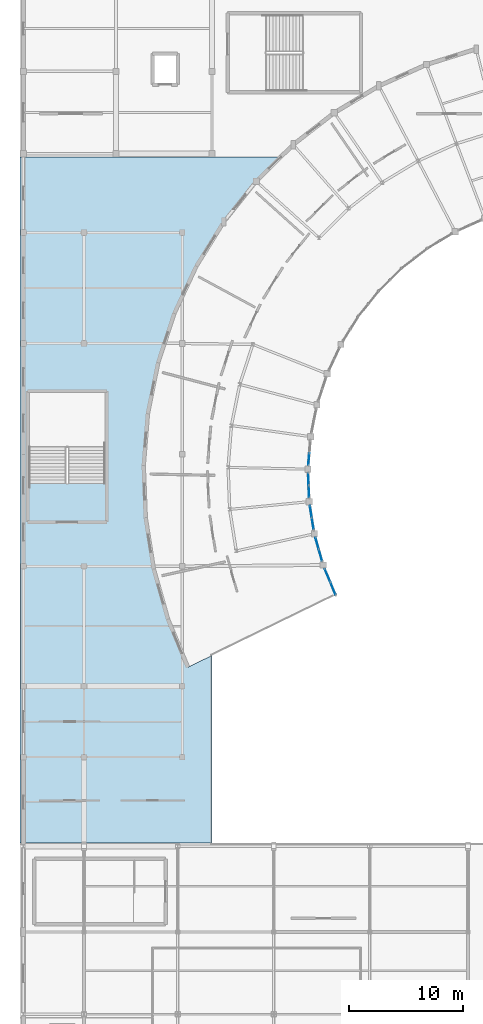
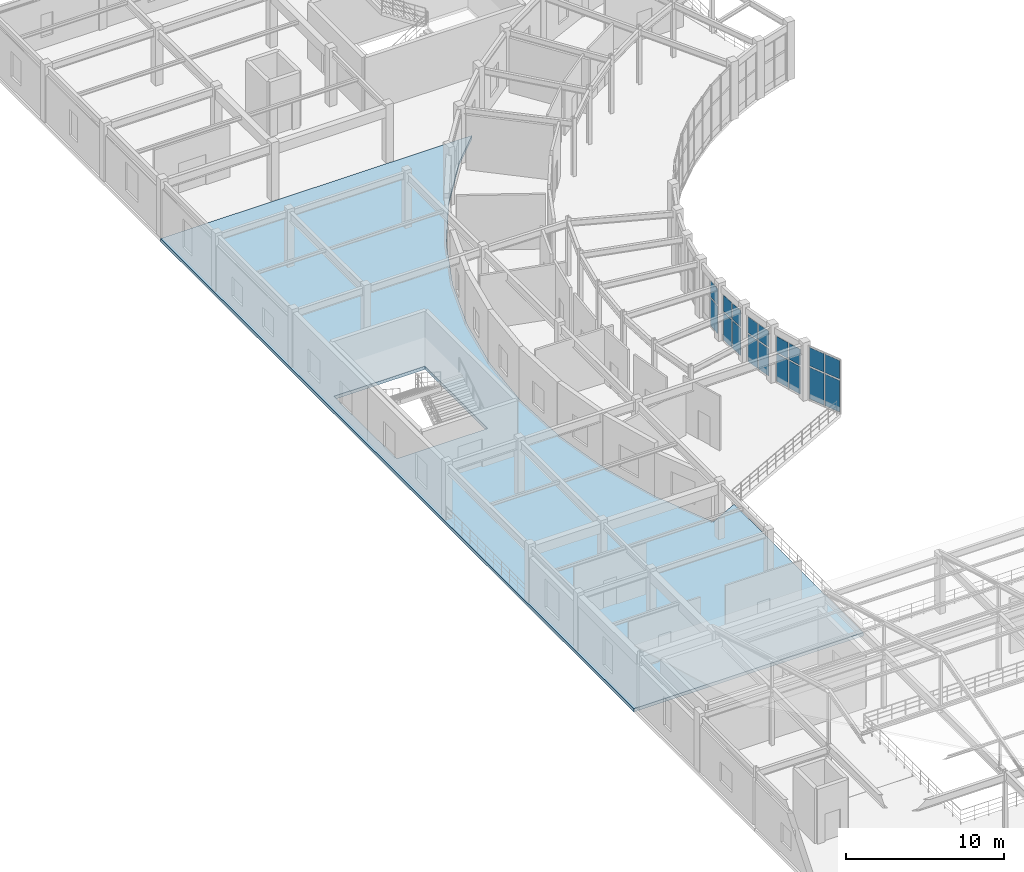
# One storey, part 72 of 112: 18 plates, 1 slab, 5 elements without a shape of their own.
"""IFC4 building model written with IfcOpenShell, lengths in metres."""

from ifc_helpers import new_model, si_unit, direction, frame, origin, origin_2d, place, context, subcontext, project, spatial, polyline, rectangle, outline, extrude, material, layer, layer_set, type_object, element, aggregate, save


model = new_model("IFC4")

# Units and contexts
model_context = context("Model", 3, precision=1e-05, world=origin(), true_north=direction((0.0, 1.0)))
body_context = subcontext(model_context, "Body", "Model", "MODEL_VIEW")
ifc_project = project(units=[si_unit("LENGTHUNIT", "METRE"), si_unit("AREAUNIT", "SQUARE_METRE"), si_unit("VOLUMEUNIT", "CUBIC_METRE"), si_unit("PLANEANGLEUNIT", "RADIAN"), si_unit("MASSUNIT", "GRAM", prefix="KILO")], contexts=[model_context])

# Site, building, storey
site_placement = place(None, origin())
site = spatial("IfcSite", under=ifc_project, at=site_placement, CompositionType="ELEMENT")
building_placement = place(site_placement, origin())
building = spatial("IfcBuilding", under=site, at=building_placement, Name="Cinderbank Siding Concert Hall", CompositionType="ELEMENT")
storey_placement = place(building_placement, frame((0.0, 0.0, 10.199951171875)))
storey = spatial("IfcBuildingStorey", under=building, at=storey_placement, Name="L03", CompositionType="ELEMENT", Elevation=10.199951171875)

# Curtain wall, plates
ifc_material_1 = material(Name="Anodised aluminium alloy 6063-T6", Category="aluminium")
curtain_wall_type_1 = type_object("IfcCurtainWallType", Name="CW-14 Unitised Acoustic Curtain Wall 4200x3800", PredefinedType="NOTDEFINED", material=ifc_material_1)
curtain_wall_1_placement = place(storey_placement, origin())
curtain_wall_1 = element("IfcCurtainWall", 1, at=curtain_wall_1_placement, inside=storey, type_object=curtain_wall_type_1, Name="L03 Curtain Wall CW-14 #136", PredefinedType="NOTDEFINED")
ifc_material_2 = material(Name="Double-glazed laminated acoustic glass", Category="glass")
ifc_layer_1 = layer(ifc_material_2, 0.035888671875)
ifc_layer_set_1 = layer_set([ifc_layer_1], Name="Double-glazed laminated acoustic glass")
plate_type_1 = type_object("IfcPlateType", Name="CP-01 Glazed Curtain Panel 1800x2200", PredefinedType="CURTAIN_PANEL", material=ifc_layer_set_1)
plate_1_placement = place(storey_placement, frame((32.800048828125, 61.998046875, 0.1201171875), z_axis=(0.0, 0.0, 1.0), x_axis=(0.272275215509, -0.962219417295, 0.0)))
plate_1 = element("IfcPlate", 2, at=plate_1_placement, type_object=plate_type_1, Name="CW-L03-136 Glazed Panel 0-0", PredefinedType="CURTAIN_PANEL", context=body_context, shape_type="SweptSolid", body=[
    extrude(rectangle(XDim=0.9833984375, YDim=0.035888671875, at=origin_2d()), origin(), (0.0, 0.0, 1.0), 2.118408203125),
])
plate_2_placement = place(storey_placement, frame((32.800048828125, 61.998046875, 2.3583984375), z_axis=(0.0, 0.0, 1.0), x_axis=(0.272275215509, -0.962219417295, 0.0)))
plate_2 = element("IfcPlate", 3, at=plate_2_placement, type_object=plate_type_1, Name="CW-L03-136 Glazed Panel 0-1", PredefinedType="CURTAIN_PANEL", context=body_context, shape_type="SweptSolid", body=[
    extrude(rectangle(XDim=0.9833984375, YDim=0.035888671875, at=origin_2d()), origin(), (0.0, 0.0, 1.0), 1.228759765625),
])
plate_3_placement = place(storey_placement, frame((33.094970703125, 60.95556640625, 0.1201171875), z_axis=(0.0, 0.0, 1.0), x_axis=(0.272275215509, -0.962219417295, 0.0)))
plate_3 = element("IfcPlate", 4, at=plate_3_placement, type_object=plate_type_1, Name="CW-L03-136 Glazed Panel 1-0", PredefinedType="CURTAIN_PANEL", context=body_context, shape_type="SweptSolid", body=[
    extrude(rectangle(XDim=0.9833984375, YDim=0.035888671875, at=origin_2d()), origin(), (0.0, 0.0, 1.0), 2.118408203125),
])
plate_4_placement = place(storey_placement, frame((33.094970703125, 60.95556640625, 2.3583984375), z_axis=(0.0, 0.0, 1.0), x_axis=(0.272275215509, -0.962219417295, 0.0)))
plate_4 = element("IfcPlate", 5, at=plate_4_placement, type_object=plate_type_1, Name="CW-L03-136 Glazed Panel 1-1", PredefinedType="CURTAIN_PANEL", context=body_context, shape_type="SweptSolid", body=[
    extrude(rectangle(XDim=0.9833984375, YDim=0.035888671875, at=origin_2d()), origin(), (0.0, 0.0, 1.0), 1.228759765625),
])
aggregate(curtain_wall_1, [plate_1, plate_2, plate_3, plate_4])

curtain_wall_type_2 = type_object("IfcCurtainWallType", Name="CW-13 Unitised Acoustic Curtain Wall 4200x4400", PredefinedType="NOTDEFINED", material=ifc_material_1)
curtain_wall_2_placement = place(storey_placement, origin())
curtain_wall_2 = element("IfcCurtainWall", 6, at=curtain_wall_2_placement, inside=storey, type_object=curtain_wall_type_2, Name="L03 Curtain Wall CW-13 #137", PredefinedType="NOTDEFINED")
ifc_layer_2 = layer(ifc_material_2, 0.035888671875)
ifc_layer_set_2 = layer_set([ifc_layer_2], Name="Double-glazed laminated acoustic glass")
plate_type_2 = type_object("IfcPlateType", Name="CP-02 Glazed Curtain Panel 1800x1900", PredefinedType="CURTAIN_PANEL", material=ifc_layer_set_2)
plate_5_placement = place(storey_placement, frame((33.70654296875, 59.21484375, 0.1201171875), z_axis=(0.0, 0.0, 1.0), x_axis=(0.384273632219, -0.923219245673, 0.0)))
plate_5 = element("IfcPlate", 7, at=plate_5_placement, type_object=plate_type_2, Name="CW-L03-137 Glazed Panel 0-0", PredefinedType="CURTAIN_PANEL", context=body_context, shape_type="SweptSolid", body=[
    extrude(rectangle(XDim=1.1533203125, YDim=0.035888671875, at=origin_2d()), origin(), (0.0, 0.0, 1.0), 2.439453125),
])
plate_6_placement = place(storey_placement, frame((33.70654296875, 59.21484375, 2.6796875), z_axis=(0.0, 0.0, 1.0), x_axis=(0.384273632219, -0.923219245673, 0.0)))
plate_6 = element("IfcPlate", 8, at=plate_6_placement, type_object=plate_type_2, Name="CW-L03-137 Glazed Panel 0-1", PredefinedType="CURTAIN_PANEL", context=body_context, shape_type="SweptSolid", body=[
    extrude(rectangle(XDim=1.1533203125, YDim=0.035888671875, at=origin_2d()), origin(), (0.0, 0.0, 1.0), 1.425537109375),
])
plate_7_placement = place(storey_placement, frame((34.18798828125, 58.0576171875, 0.1201171875), z_axis=(0.0, 0.0, 1.0), x_axis=(0.384273632219, -0.923219245673, 0.0)))
plate_7 = element("IfcPlate", 9, at=plate_7_placement, type_object=plate_type_2, Name="CW-L03-137 Glazed Panel 1-0", PredefinedType="CURTAIN_PANEL", context=body_context, shape_type="SweptSolid", body=[
    extrude(rectangle(XDim=1.1533203125, YDim=0.035888671875, at=origin_2d()), origin(), (0.0, 0.0, 1.0), 2.439453125),
])
plate_8_placement = place(storey_placement, frame((34.18798828125, 58.0576171875, 2.6796875), z_axis=(0.0, 0.0, 1.0), x_axis=(0.384273632219, -0.923219245673, 0.0)))
plate_8 = element("IfcPlate", 10, at=plate_8_placement, type_object=plate_type_2, Name="CW-L03-137 Glazed Panel 1-1", PredefinedType="CURTAIN_PANEL", context=body_context, shape_type="SweptSolid", body=[
    extrude(rectangle(XDim=1.1533203125, YDim=0.035888671875, at=origin_2d()), origin(), (0.0, 0.0, 1.0), 1.425537109375),
])
aggregate(curtain_wall_2, [plate_5, plate_6, plate_7, plate_8])

curtain_wall_3_placement = place(storey_placement, origin())
curtain_wall_3 = element("IfcCurtainWall", 11, at=curtain_wall_3_placement, inside=storey, type_object=curtain_wall_type_2, Name="L03 Curtain Wall CW-13 #133", PredefinedType="NOTDEFINED")
ifc_layer_3 = layer(ifc_material_2, 0.0380859375)
ifc_layer_set_3 = layer_set([ifc_layer_3], Name="Double-glazed laminated acoustic glass")
plate_type_3 = type_object("IfcPlateType", Name="CP-06 Glazed Curtain Panel 2100x1600", PredefinedType="CURTAIN_PANEL", material=ifc_layer_set_3)
plate_9_placement = place(storey_placement, frame((32.075927734375, 69.381591796875, 0.1201171875), z_axis=(0.0, 0.0, 1.0), x_axis=(-0.0801961758, -0.996779099594, 0.0)))
plate_9 = element("IfcPlate", 12, at=plate_9_placement, type_object=plate_type_3, Name="CW-L03-133 Glazed Panel 1-0", PredefinedType="CURTAIN_PANEL", context=body_context, shape_type="SweptSolid", body=[
    extrude(rectangle(XDim=0.9833984375, YDim=0.035888671875, at=origin_2d()), origin(), (0.0, 0.0, 1.0), 2.118408203125),
])
plate_10_placement = place(storey_placement, frame((32.075927734375, 69.381591796875, 2.3583984375), z_axis=(0.0, 0.0, 1.0), x_axis=(-0.0801961758, -0.996779099594, 0.0)))
plate_10 = element("IfcPlate", 13, at=plate_10_placement, type_object=plate_type_3, Name="CW-L03-133 Glazed Panel 1-1", PredefinedType="CURTAIN_PANEL", context=body_context, shape_type="SweptSolid", body=[
    extrude(rectangle(XDim=0.9833984375, YDim=0.035888671875, at=origin_2d()), origin(), (0.0, 0.0, 1.0), 1.228759765625),
])
aggregate(curtain_wall_3, [plate_9, plate_10])

curtain_wall_4_placement = place(storey_placement, origin())
curtain_wall_4 = element("IfcCurtainWall", 14, at=curtain_wall_4_placement, inside=storey, type_object=curtain_wall_type_1, Name="L03 Curtain Wall CW-14 #134", PredefinedType="NOTDEFINED")
ifc_layer_4 = layer(ifc_material_2, 0.033935546875)
ifc_layer_set_4 = layer_set([ifc_layer_4], Name="Double-glazed laminated acoustic glass")
plate_type_4 = type_object("IfcPlateType", Name="CP-07 Glazed Curtain Panel 1500x1750", PredefinedType="CURTAIN_PANEL", material=ifc_layer_set_4)
plate_11_placement = place(storey_placement, frame((32.0390625, 67.62158203125, 0.1201171875), z_axis=(0.0, 0.0, 1.0), x_axis=(0.038360270672, -0.99926397395, 0.0)))
plate_11 = element("IfcPlate", 15, at=plate_11_placement, type_object=plate_type_4, Name="CW-L03-134 Glazed Panel 0-0", PredefinedType="CURTAIN_PANEL", context=body_context, shape_type="SweptSolid", body=[
    extrude(rectangle(XDim=0.9833984375, YDim=0.035888671875, at=origin_2d()), origin(), (0.0, 0.0, 1.0), 2.118408203125),
])
plate_12_placement = place(storey_placement, frame((32.0390625, 67.62158203125, 2.3583984375), z_axis=(0.0, 0.0, 1.0), x_axis=(0.038360270672, -0.99926397395, 0.0)))
plate_12 = element("IfcPlate", 16, at=plate_12_placement, type_object=plate_type_4, Name="CW-L03-134 Glazed Panel 0-1", PredefinedType="CURTAIN_PANEL", context=body_context, shape_type="SweptSolid", body=[
    extrude(rectangle(XDim=0.9833984375, YDim=0.035888671875, at=origin_2d()), origin(), (0.0, 0.0, 1.0), 1.228759765625),
])
plate_13_placement = place(storey_placement, frame((32.080810546875, 66.5390625, 0.1201171875), z_axis=(0.0, 0.0, 1.0), x_axis=(0.038360270672, -0.99926397395, 0.0)))
plate_13 = element("IfcPlate", 17, at=plate_13_placement, type_object=plate_type_4, Name="CW-L03-134 Glazed Panel 1-0", PredefinedType="CURTAIN_PANEL", context=body_context, shape_type="SweptSolid", body=[
    extrude(rectangle(XDim=0.9833984375, YDim=0.035888671875, at=origin_2d()), origin(), (0.0, 0.0, 1.0), 2.118408203125),
])
plate_14_placement = place(storey_placement, frame((32.080810546875, 66.5390625, 2.3583984375), z_axis=(0.0, 0.0, 1.0), x_axis=(0.038360270672, -0.99926397395, 0.0)))
plate_14 = element("IfcPlate", 18, at=plate_14_placement, type_object=plate_type_4, Name="CW-L03-134 Glazed Panel 1-1", PredefinedType="CURTAIN_PANEL", context=body_context, shape_type="SweptSolid", body=[
    extrude(rectangle(XDim=0.9833984375, YDim=0.035888671875, at=origin_2d()), origin(), (0.0, 0.0, 1.0), 1.228759765625),
])
aggregate(curtain_wall_4, [plate_11, plate_12, plate_13, plate_14])

curtain_wall_5_placement = place(storey_placement, origin())
curtain_wall_5 = element("IfcCurtainWall", 19, at=curtain_wall_5_placement, inside=storey, type_object=curtain_wall_type_2, Name="L03 Curtain Wall CW-13 #135", PredefinedType="NOTDEFINED")
ifc_layer_5 = layer(ifc_material_2, 0.033935546875)
ifc_layer_set_5 = layer_set([ifc_layer_5], Name="Double-glazed laminated acoustic glass")
plate_type_5 = type_object("IfcPlateType", Name="CP-08 Glazed Curtain Panel 1700x1550", PredefinedType="CURTAIN_PANEL", material=ifc_layer_set_5)
plate_15_placement = place(storey_placement, frame((32.25244140625, 64.787109375, 0.1201171875), z_axis=(0.0, 0.0, 1.0), x_axis=(0.156464041899, -0.987683655627, 0.0)))
plate_15 = element("IfcPlate", 20, at=plate_15_placement, type_object=plate_type_5, Name="CW-L03-135 Glazed Panel 0-0", PredefinedType="CURTAIN_PANEL", context=body_context, shape_type="SweptSolid", body=[
    extrude(rectangle(XDim=0.9833984375, YDim=0.035888671875, at=origin_2d()), origin(), (0.0, 0.0, 1.0), 2.118408203125),
])
plate_16_placement = place(storey_placement, frame((32.25244140625, 64.787109375, 2.3583984375), z_axis=(0.0, 0.0, 1.0), x_axis=(0.156464041899, -0.987683655627, 0.0)))
plate_16 = element("IfcPlate", 21, at=plate_16_placement, type_object=plate_type_5, Name="CW-L03-135 Glazed Panel 0-1", PredefinedType="CURTAIN_PANEL", context=body_context, shape_type="SweptSolid", body=[
    extrude(rectangle(XDim=0.9833984375, YDim=0.035888671875, at=origin_2d()), origin(), (0.0, 0.0, 1.0), 1.228759765625),
])
plate_17_placement = place(storey_placement, frame((32.422119140625, 63.71728515625, 0.1201171875), z_axis=(0.0, 0.0, 1.0), x_axis=(0.156464041899, -0.987683655627, 0.0)))
plate_17 = element("IfcPlate", 22, at=plate_17_placement, type_object=plate_type_5, Name="CW-L03-135 Glazed Panel 1-0", PredefinedType="CURTAIN_PANEL", context=body_context, shape_type="SweptSolid", body=[
    extrude(rectangle(XDim=0.9833984375, YDim=0.035888671875, at=origin_2d()), origin(), (0.0, 0.0, 1.0), 2.118408203125),
])
plate_18_placement = place(storey_placement, frame((32.422119140625, 63.71728515625, 2.3583984375), z_axis=(0.0, 0.0, 1.0), x_axis=(0.156464041899, -0.987683655627, 0.0)))
plate_18 = element("IfcPlate", 23, at=plate_18_placement, type_object=plate_type_5, Name="CW-L03-135 Glazed Panel 1-1", PredefinedType="CURTAIN_PANEL", context=body_context, shape_type="SweptSolid", body=[
    extrude(rectangle(XDim=0.9833984375, YDim=0.035888671875, at=origin_2d()), origin(), (0.0, 0.0, 1.0), 1.228759765625),
])
aggregate(curtain_wall_5, [plate_15, plate_16, plate_17, plate_18])

# Slab
ifc_material_3 = material(Name="Reinforced concrete AS 3600 N50 (50 MPa)", Category="concrete")
ifc_layer_6 = layer(ifc_material_3, 0.25)
ifc_layer_set_6 = layer_set([ifc_layer_6], Name="Reinforced concrete AS 3600 N50 (50 MPa)")
slab_type = type_object("IfcSlabType", Name="SL-04 Slab 250mm", PredefinedType="FLOOR", material=ifc_layer_set_6)
slab_placement = place(storey_placement, frame((0.0, 0.0, -0.25)))
element("IfcSlab", 24, at=slab_placement, inside=storey, type_object=slab_type, Name="L03 WL Slab", PredefinedType="FLOOR", context=body_context, shape_type="SweptSolid", body=[
    extrude(outline(polyline([(6.800048828125, 95.800048828125), (29.59814453125, 95.800048828125), (27.463134765625, 93.694580078125), (24.62158203125, 90.135009765625), (22.221435546875, 86.263916015625), (20.296630859375, 82.135986328125), (18.8740234375, 77.80908203125), (17.9736328125, 73.34423828125), (17.6083984375, 68.80419921875), (17.783203125, 64.252685546875), (18.495849609375, 59.754150390625), (19.73583984375, 55.37158203125), (21.486328125, 51.16650390625), (23.60009765625, 52.197509765625), (23.60009765625, 35.800048828125), (6.800048828125, 35.800048828125), (6.800048828125, 95.800048828125)]), holes=[polyline([(14.260009765625, 67.25), (14.260009765625, 75.199951171875), (7.60009765625, 75.199951171875), (7.60009765625, 67.25), (14.260009765625, 67.25)])]), origin(), (0.0, 0.0, 1.0), 0.25),
])

save(model, "model.ifc")
